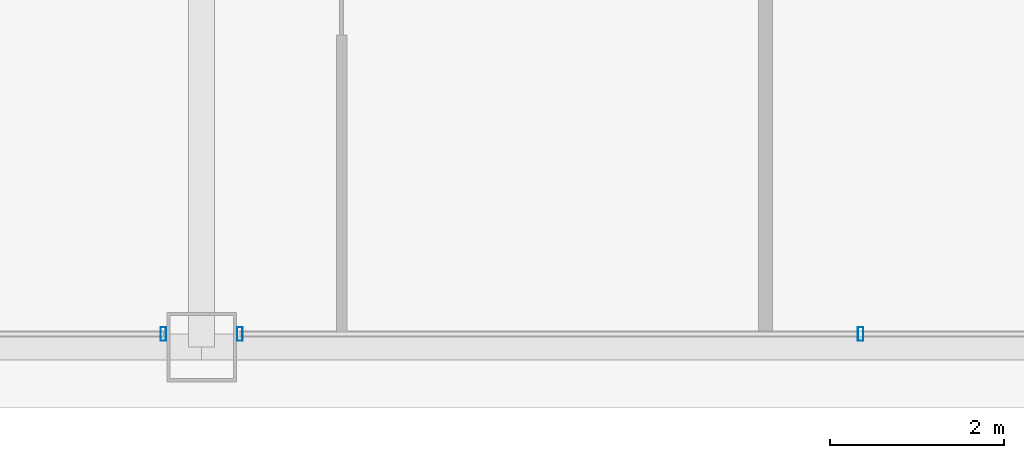
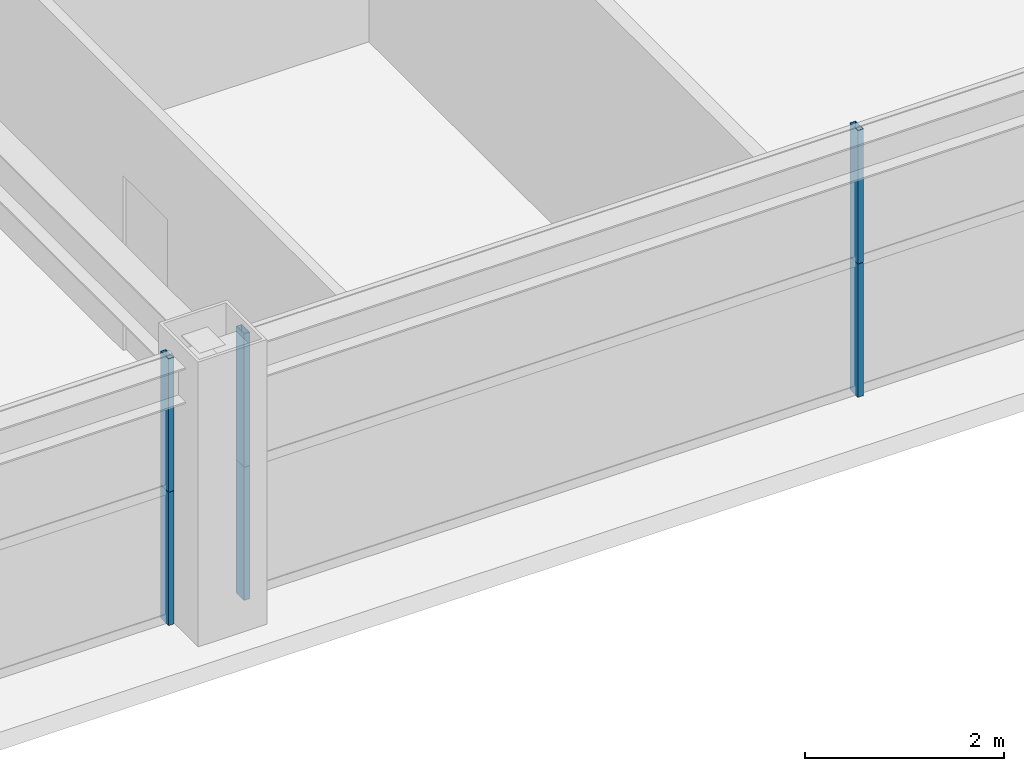
# One storey, part 10 of 38: 6 members, 2 elements without a shape of their own.
"""IFC4 building model written with IfcOpenShell, lengths in metres."""

from ifc_helpers import new_model, si_unit, direction, frame, origin, origin_2d, place, context, subcontext, project, spatial, hollow_rectangle, extrude, source, transform, mapped, material, layer, layer_set, material_profile, profile_set, type_object, element, aggregate, save


model = new_model("IFC4")

# Units and contexts
model_context = context("Model", 3, precision=1e-05, world=origin(), true_north=direction((0.0, 1.0)))
body_context = subcontext(model_context, "Body", "Model", "MODEL_VIEW")
ifc_project = project(units=[si_unit("LENGTHUNIT", "METRE"), si_unit("AREAUNIT", "SQUARE_METRE"), si_unit("VOLUMEUNIT", "CUBIC_METRE"), si_unit("PLANEANGLEUNIT", "RADIAN"), si_unit("MASSUNIT", "GRAM", prefix="KILO"), si_unit("THERMODYNAMICTEMPERATUREUNIT", "KELVIN"), si_unit("POWERUNIT", "WATT")], contexts=[model_context])

# Site, building, storey
site_placement = place(None, origin())
site = spatial("IfcSite", under=ifc_project, at=site_placement, CompositionType="ELEMENT")
building_placement = place(site_placement, origin())
building = spatial("IfcBuilding", under=site, at=building_placement, Name="Yuzanri Waterfront Tower", CompositionType="ELEMENT")
storey_placement = place(building_placement, frame((0.0, 0.0, 202.0)))
storey = spatial("IfcBuildingStorey", under=building, at=storey_placement, Name="L53", CompositionType="ELEMENT", Elevation=202.0)

# Curtain wall, members
ifc_material_1 = material(Name="Anodized Architectural Bronze", Category="metal")
ifc_layer = layer(ifc_material_1, 0.159912109375)
ifc_layer_set = layer_set([ifc_layer], Name="Anodized Architectural Bronze")
curtain_wall_type = type_object("IfcCurtainWallType", Name="Anodized Bronze Mid-Rise Residential Acoustic Unitized Curtain Wall 7200", PredefinedType="NOTDEFINED", material=ifc_layer_set)
curtain_wall_1_placement = place(storey_placement, origin())
curtain_wall_1 = element("IfcCurtainWall", 1, at=curtain_wall_1_placement, inside=storey, type_object=curtain_wall_type, Name="L53 Curtain Wall CW-L53-SL", PredefinedType="NOTDEFINED")
ifc_material_2 = material(Name="Anodized Architectural Bronze", Category="metal")
ifc_material_profile = material_profile(ifc_material_2, hollow_rectangle(XDim=0.06494140625, YDim=0.159912109375, WallThickness=0.00341796875, at=origin_2d()), Name="CWM 65x160")
ifc_profile_set = profile_set([ifc_material_profile], Name="Anodized Architectural Bronze")
member_type = type_object("IfcMemberType", Name="Anodized Bronze Upper-Zone Curtain-Wall Mullion 65x160", PredefinedType="MULLION", material=ifc_profile_set)
shared_shape = source(origin(), body_context, "Body", "SweptSolid", [
    extrude(hollow_rectangle(XDim=0.06494140625, YDim=0.159912109375, WallThickness=0.00341796875, at=origin_2d()), origin(), (0.0, 0.0, 1.0), 1.637939453125),
])
member_1_placement = place(storey_placement, frame((36.56005859375, 3.85009765625, 0.0), z_axis=(0.0, 0.0, 1.0), x_axis=(1.0, 0.0, 0.0)))
member_1 = element("IfcMember", 2, at=member_1_placement, type_object=member_type, Name="CW-L53-SL Lower Mullion 02", PredefinedType="MULLION", context=body_context, shape_type="MappedRepresentation", body=[
    mapped(shared_shape, transform((0.0, 0.0, 0.0), scale=1.0)),
])
member_2_placement = place(storey_placement, frame((36.56005859375, 3.85009765625, 1.64208984375), z_axis=(0.0, 0.0, 1.0), x_axis=(1.0, 0.0, 0.0)))
member_2 = element("IfcMember", 3, at=member_2_placement, type_object=member_type, Name="CW-L53-SL Upper Mullion 02", PredefinedType="MULLION", context=body_context, shape_type="MappedRepresentation", body=[
    mapped(shared_shape, transform((0.0, 0.0, 0.0), scale=1.0)),
])
aggregate(curtain_wall_1, [member_1, member_2])

curtain_wall_2_placement = place(storey_placement, origin())
curtain_wall_2 = element("IfcCurtainWall", 4, at=curtain_wall_2_placement, inside=storey, type_object=curtain_wall_type, Name="L53 Curtain Wall CW-L53-SR", PredefinedType="NOTDEFINED")
member_3_placement = place(storey_placement, frame((37.43994140625, 3.85009765625, 0.0), z_axis=(0.0, 0.0, 1.0), x_axis=(1.0, 0.0, 0.0)))
member_3 = element("IfcMember", 5, at=member_3_placement, type_object=member_type, Name="CW-L53-SR Lower Mullion 00", PredefinedType="MULLION", context=body_context, shape_type="MappedRepresentation", body=[
    mapped(shared_shape, transform((0.0, 0.0, 0.0), scale=1.0)),
])
member_4_placement = place(storey_placement, frame((37.43994140625, 3.85009765625, 1.64208984375), z_axis=(0.0, 0.0, 1.0), x_axis=(1.0, 0.0, 0.0)))
member_4 = element("IfcMember", 6, at=member_4_placement, type_object=member_type, Name="CW-L53-SR Upper Mullion 00", PredefinedType="MULLION", context=body_context, shape_type="MappedRepresentation", body=[
    mapped(shared_shape, transform((0.0, 0.0, 0.0), scale=1.0)),
])
member_5_placement = place(storey_placement, frame((44.574951171875, 3.85009765625, 0.0), z_axis=(0.0, 0.0, 1.0), x_axis=(1.0, 0.0, 0.0)))
member_5 = element("IfcMember", 7, at=member_5_placement, type_object=member_type, Name="CW-L53-SR Lower Mullion 01", PredefinedType="MULLION", context=body_context, shape_type="MappedRepresentation", body=[
    mapped(shared_shape, transform((0.0, 0.0, 0.0), scale=1.0)),
])
member_6_placement = place(storey_placement, frame((44.574951171875, 3.85009765625, 1.64208984375), z_axis=(0.0, 0.0, 1.0), x_axis=(1.0, 0.0, 0.0)))
member_6 = element("IfcMember", 8, at=member_6_placement, type_object=member_type, Name="CW-L53-SR Upper Mullion 01", PredefinedType="MULLION", context=body_context, shape_type="MappedRepresentation", body=[
    mapped(shared_shape, transform((0.0, 0.0, 0.0), scale=1.0)),
])
aggregate(curtain_wall_2, [member_3, member_4, member_5, member_6])

save(model, "model.ifc")
